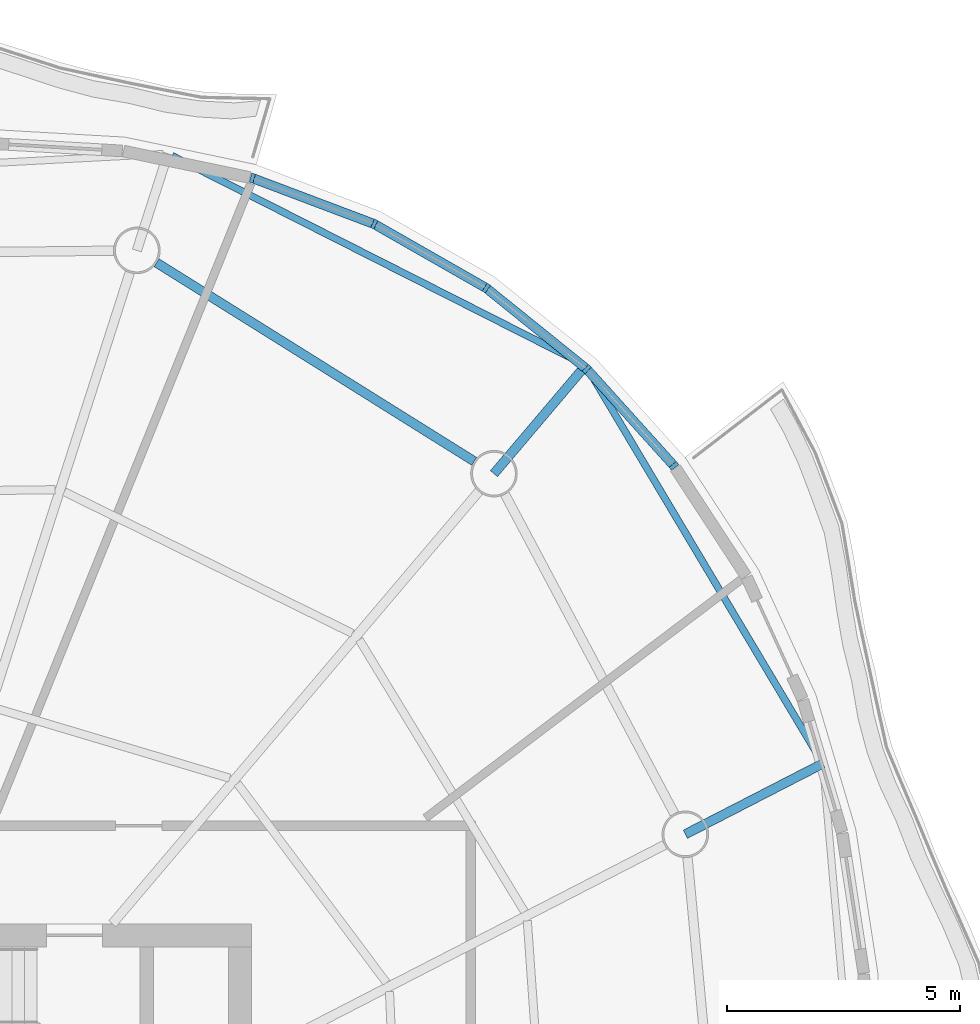
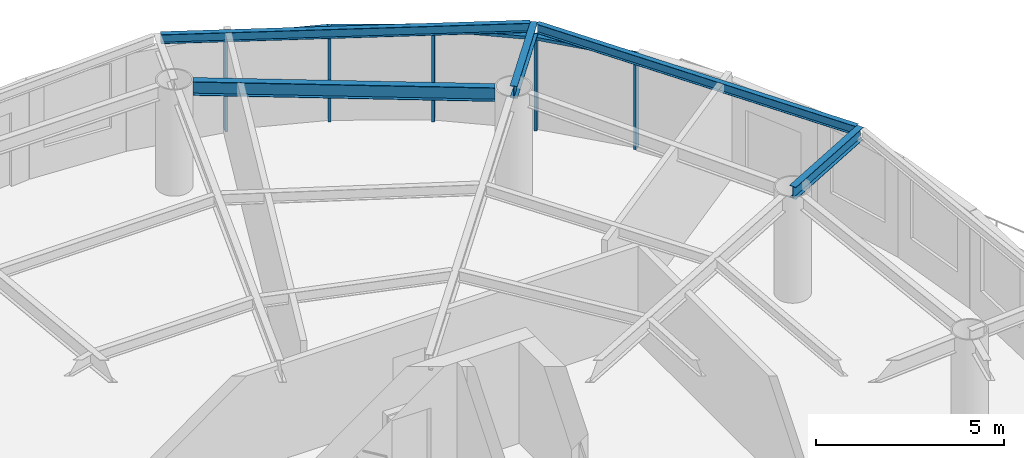
# One storey, part 6 of 14: 9 members, 5 beams, 4 elements without a shape of their own.
"""IFC4 building model written with IfcOpenShell, lengths in metres."""

import ifcopenshell
import ifcopenshell.guid

model = None  # the IFC model being written
_history = None  # IfcOwnerHistory: only IFC2X3 demands one
_inside = {}  # id of a spatial element -> (the spatial element, [elements in it])
_under = {}  # id of a project, library or spatial element -> (it, [spatial elements below it])
_declared = {}  # id of a project -> (the project, [libraries it declares])
_typed = {}  # id of a type object -> (the type object, [elements of that type])
_made_of = {}  # id of a material, layer set ... -> (it, [elements and type objects made of it])


def new_model(schema):
    """Start an empty IFC model of exactly this schema.

    Asked for "IFC4X3", IfcOpenShell would pick the latest addendum, in which some entities
    have other attributes; the version numbers below select the first issue.
    IFC2X3 requires an IfcOwnerHistory on every rooted entity: one is made here for all.
    """
    global model, _history
    if schema == "IFC4X3":
        model = ifcopenshell.file(schema_version=(4, 3, 0, 0))
    else:
        model = ifcopenshell.file(schema=schema)
    _inside.clear()
    _under.clear()
    _declared.clear()
    _typed.clear()
    _made_of.clear()
    _history = None
    if model.schema == "IFC2X3":
        org = make("IfcOrganization", Name="unknown")
        user = make(
            "IfcPersonAndOrganization",
            ThePerson=make("IfcPerson", FamilyName="unknown"),
            TheOrganization=org,
        )
        app = make(
            "IfcApplication",
            ApplicationDeveloper=org,
            Version="unknown",
            ApplicationFullName="unknown",
            ApplicationIdentifier="unknown",
        )
        _history = make(
            "IfcOwnerHistory",
            OwningUser=user,
            OwningApplication=app,
            ChangeAction="ADDED",
            CreationDate=0,
        )
    return model


def make(cls, **values):
    """One entity of the class cls with the attributes given. An attribute that is None is left unset."""
    return model.create_entity(
        cls, **{name: value for name, value in values.items() if value is not None}
    )


def rooted(cls, **values):
    """An entity with a GlobalId (a new one), such as an element, a storey or a relation."""
    return make(cls, GlobalId=ifcopenshell.guid.new(), OwnerHistory=_history, **values)


def si_unit(unit_type, name, prefix=None):
    """IfcSIUnit, for example si_unit("LENGTHUNIT", "METRE", prefix="MILLI")."""
    return make("IfcSIUnit", UnitType=unit_type, Prefix=prefix, Name=name)


def assignment(units):
    """IfcUnitAssignment: the units of a project."""
    return None if units is None else make("IfcUnitAssignment", Units=units)


def point(xyz):
    """IfcCartesianPoint."""
    return None if xyz is None else make("IfcCartesianPoint", Coordinates=xyz)


def direction(xyz):
    """IfcDirection."""
    return None if xyz is None else make("IfcDirection", DirectionRatios=xyz)


def frame(location, z_axis=None, x_axis=None):
    """IfcAxis2Placement3D, a coordinate frame: its origin and axes. An axis left out is left unset."""
    return make(
        "IfcAxis2Placement3D",
        Location=point(location),
        Axis=direction(z_axis),
        RefDirection=direction(x_axis),
    )


def frame_2d(location, x_axis=None):
    """IfcAxis2Placement2D, a coordinate frame in the plane: its origin and x axis."""
    return make(
        "IfcAxis2Placement2D", Location=point(location), RefDirection=direction(x_axis)
    )


def origin():
    """The frame at (0, 0, 0) with its axes left unset."""
    return frame((0.0, 0.0, 0.0))


def origin_2d():
    """The frame at (0, 0) in the plane with its x axis left unset."""
    return frame_2d((0.0, 0.0))


def place(relative_to, where):
    """IfcLocalPlacement: puts the frame where relative to a parent placement (None: the world)."""
    return make(
        "IfcLocalPlacement", PlacementRelTo=relative_to, RelativePlacement=where
    )


def context(
    kind, dimensions, precision=None, world=None, true_north=None, identifier=None
):
    """IfcGeometricRepresentationContext, for example the 3D "Model" context."""
    return make(
        "IfcGeometricRepresentationContext",
        ContextIdentifier=identifier,
        ContextType=kind,
        CoordinateSpaceDimension=dimensions,
        Precision=precision,
        WorldCoordinateSystem=world,
        TrueNorth=true_north,
    )


def subcontext(parent, identifier, kind, view, scale=None):
    """IfcGeometricRepresentationSubContext, for example "Body" below "Model"."""
    return make(
        "IfcGeometricRepresentationSubContext",
        ContextIdentifier=identifier,
        ContextType=kind,
        ParentContext=parent,
        TargetScale=scale,
        TargetView=view,
    )


def project(units=None, contexts=None):
    """IfcProject with its units and contexts."""
    return rooted(
        "IfcProject",
        Name="project",
        RepresentationContexts=contexts,
        UnitsInContext=assignment(units),
    )


def spatial(cls, under=None, at=None, **own):
    """A site, building, storey or space (cls), placed at a placement, below another one or the project."""
    s = rooted(cls, ObjectPlacement=at, **own)
    if under is not None:
        _under.setdefault(under.id(), (under, []))[1].append(s)
    return s


def profile(cls, at=None, kind="AREA", **sizes):
    """A parametric profile (cls). Its sizes go by their IFC names, for example OverallWidth=200.0."""
    return make(cls, ProfileType=kind, Position=at, **sizes)


def rectangle(**sizes):
    """IfcRectangleProfileDef."""
    return profile("IfcRectangleProfileDef", **sizes)


def i_section(**sizes):
    """IfcIShapeProfileDef."""
    return profile("IfcIShapeProfileDef", **sizes)


def extrude(swept, where, along, depth):
    """IfcExtrudedAreaSolid: the profile swept, set in the frame where, extruded along a direction by depth."""
    return make(
        "IfcExtrudedAreaSolid",
        SweptArea=swept,
        Position=where,
        ExtrudedDirection=direction(along),
        Depth=depth,
    )


def shape(context_of_items, identifier, shape_type, items):
    """IfcShapeRepresentation: the items that make up one representation, for example the "Body"."""
    return make(
        "IfcShapeRepresentation",
        ContextOfItems=context_of_items,
        RepresentationIdentifier=identifier,
        RepresentationType=shape_type,
        Items=items,
    )


def material(Name=None, Category=None):
    """IfcMaterial."""
    return make("IfcMaterial", Name=Name, Category=Category)


def material_profile(
    of_material, cross_section, Name=None, Category=None, Priority=None
):
    """IfcMaterialProfile: a cross section and its material."""
    return make(
        "IfcMaterialProfile",
        Name=Name,
        Material=of_material,
        Profile=cross_section,
        Priority=Priority,
        Category=Category,
    )


def profile_set(profiles, Name=None, composite=None):
    """IfcMaterialProfileSet."""
    return make(
        "IfcMaterialProfileSet",
        Name=Name,
        MaterialProfiles=profiles,
        CompositeProfile=composite,
    )


def made_of(thing, what):
    """Note that an element or type object is made of a material, layer set ...; save() writes the relation."""
    if what is not None:
        _made_of.setdefault(what.id(), (what, []))[1].append(thing)
    return thing


def type_object(cls, material=None, **own):
    """A type object (cls), such as IfcWallType, which elements share."""
    return made_of(rooted(cls, **own), material)


def element(
    cls,
    number,
    at=None,
    inside=None,
    cuts=None,
    type_object=None,
    material=None,
    context=None,
    identifier="Body",
    shape_type=None,
    held_by="IfcProductDefinitionShape",
    body=None,
    shapes=None,
    **own,
):
    """One element of the class cls, such as IfcWall. Its Tag is "e" and its number.

    at: its placement. inside: the storey or other place that contains it. cuts: it is an
    opening in that element (IfcRelVoidsElement). A single representation is given by context,
    identifier, shape_type and body (its items); several are given by shapes. held_by: the class
    of the entity that holds the representations. save() writes the other relations.
    """
    e = rooted(cls, Tag="e%d" % number, ObjectPlacement=at, **own)
    if body is not None:
        shapes = [shape(context, identifier, shape_type, body)]
    if shapes is not None:
        e.Representation = make(held_by, Representations=shapes)
    if inside is not None:
        _inside.setdefault(inside.id(), (inside, []))[1].append(e)
    if cuts is not None:
        rooted(
            "IfcRelVoidsElement", RelatingBuildingElement=cuts, RelatedOpeningElement=e
        )
    if type_object is not None:
        _typed.setdefault(type_object.id(), (type_object, []))[1].append(e)
    return made_of(e, material)


def aggregate(whole, parts):
    """IfcRelAggregates: a whole, such as a stair, and the parts it consists of."""
    return rooted("IfcRelAggregates", RelatingObject=whole, RelatedObjects=parts)


def save(model, path):
    """Write the relations noted so far, then the file.

    IfcRelAggregates (storeys below a building ...), IfcRelContainedInSpatialStructure (elements
    in a storey), IfcRelDefinesByType, IfcRelAssociatesMaterial and IfcRelDeclares: one each for
    every whole, place, type object, material and project.
    """
    for whole, parts in _under.values():
        aggregate(whole, parts)
    for where, things in _inside.values():
        rooted(
            "IfcRelContainedInSpatialStructure",
            RelatedElements=things,
            RelatingStructure=where,
        )
    for kind, things in _typed.values():
        rooted("IfcRelDefinesByType", RelatedObjects=things, RelatingType=kind)
    for what, things in _made_of.values():
        rooted("IfcRelAssociatesMaterial", RelatedObjects=things, RelatingMaterial=what)
    for by, libraries in _declared.values():
        rooted("IfcRelDeclares", RelatingContext=by, RelatedDefinitions=libraries)
    model.write(path)


model = new_model("IFC4")

# Units and contexts
model_context = context("Model", 3, precision=1e-05, world=origin(), true_north=direction((0.0, 1.0)))
body_context = subcontext(model_context, "Body", "Model", "MODEL_VIEW")
ifc_project = project(units=[si_unit("LENGTHUNIT", "METRE"), si_unit("AREAUNIT", "SQUARE_METRE"), si_unit("VOLUMEUNIT", "CUBIC_METRE"), si_unit("PLANEANGLEUNIT", "RADIAN"), si_unit("MASSUNIT", "GRAM", prefix="KILO")], contexts=[model_context])

# Site, building, storey
site_placement = place(None, origin())
site = spatial("IfcSite", under=ifc_project, at=site_placement, CompositionType="ELEMENT")
building_placement = place(site_placement, origin())
building = spatial("IfcBuilding", under=site, at=building_placement, Name="Vermilion Reach Broadcast Tower", CompositionType="ELEMENT")
storey_placement = place(building_placement, frame((0.0, 0.0, 257.699951171875)))
storey = spatial("IfcBuildingStorey", under=building, at=storey_placement, Name="L63", CompositionType="ELEMENT", Elevation=257.699951171875)

# Beams
ifc_material_1 = material(Name="Steel S355J2", Category="steel")
ifc_material_profile_1 = material_profile(ifc_material_1, i_section(OverallWidth=0.14990234375, OverallDepth=0.300048828125, WebThickness=0.006591796875, FlangeThickness=0.009033203125, at=origin_2d()), Name="S355J2 HN 300x150x6.5x9")
ifc_profile_set_1 = profile_set([ifc_material_profile_1], Name="Steel S355J2")
beam_type_1 = type_object("IfcBeamType", Name="EB5 HN 300x150x6.5x9", PredefinedType="BEAM", material=ifc_profile_set_1)
beam_1_placement = place(storey_placement, frame((15.80615234375, 11.323974609375, 3.300048828125), z_axis=(-0.511805175095, 0.859101543909, 0.0), x_axis=(-0.859101543909, -0.511805175095, 0.0)))
element("IfcBeam", 1, at=beam_1_placement, inside=storey, type_object=beam_type_1, Name="Edge beam EB5-15", PredefinedType="BEAM", context=body_context, shape_type="SweptSolid", body=[
    extrude(i_section(OverallWidth=0.14990234375, OverallDepth=0.300048828125, WebThickness=0.006591796875, FlangeThickness=0.009033203125, at=origin_2d()), origin(), (0.0, 0.0, 1.0), 9.73681640625),
])
beam_2_placement = place(storey_placement, frame((10.677001953125, 19.826416015625, 3.300048828125), z_axis=(-0.892003915287, 0.452027670738, 0.0), x_axis=(-0.452027670738, -0.892003915287, 0.0)))
element("IfcBeam", 2, at=beam_2_placement, inside=storey, type_object=beam_type_1, Name="Edge beam EB5-16", PredefinedType="BEAM", context=body_context, shape_type="SweptSolid", body=[
    extrude(i_section(OverallWidth=0.14990234375, OverallDepth=0.300048828125, WebThickness=0.006591796875, FlangeThickness=0.009033203125, at=origin_2d()), origin(), (0.0, 0.0, 1.0), 9.845458984375),
])
ifc_material_2 = material(Name="Steel S355J2", Category="steel")
ifc_material_profile_2 = material_profile(ifc_material_2, i_section(OverallWidth=0.199951171875, OverallDepth=0.39990234375, WebThickness=0.008056640625, FlangeThickness=0.012939453125, at=origin_2d()), Name="S355J2 HN 400x200x8x13")
ifc_profile_set_2 = profile_set([ifc_material_profile_2], Name="Steel S355J2")
beam_type_2 = type_object("IfcBeamType", Name="GC5 HN 400x200x8x13", PredefinedType="BEAM", material=ifc_profile_set_2)
beam_3_placement = place(storey_placement, frame((12.905517578125, 9.72021484375, 3.25), z_axis=(0.889324552007, 0.457276547831, 0.0), x_axis=(-0.457276547831, 0.889324552007, 0.0)))
element("IfcBeam", 3, at=beam_3_placement, inside=storey, type_object=beam_type_2, Name="Cantilever girder GC5-15", PredefinedType="BEAM", context=body_context, shape_type="SweptSolid", body=[
    extrude(i_section(OverallWidth=0.199951171875, OverallDepth=0.39990234375, WebThickness=0.008056640625, FlangeThickness=0.012939453125, at=origin_2d()), origin(), (0.0, 0.0, 1.0), 3.3193359375),
])
beam_4_placement = place(storey_placement, frame((8.799560546875, 17.457275390625, 3.25), z_axis=(0.646668011343, 0.762771579902, 0.0), x_axis=(-0.762771579902, 0.646668011343, 0.0)))
element("IfcBeam", 4, at=beam_4_placement, inside=storey, type_object=beam_type_2, Name="Cantilever girder GC5-16", PredefinedType="BEAM", context=body_context, shape_type="SweptSolid", body=[
    extrude(i_section(OverallWidth=0.199951171875, OverallDepth=0.39990234375, WebThickness=0.008056640625, FlangeThickness=0.012939453125, at=origin_2d()), origin(), (0.0, 0.0, 1.0), 3.044921875),
])
ifc_material_3 = material(Name="Steel S355J2", Category="steel")
ifc_material_profile_3 = material_profile(ifc_material_3, i_section(OverallWidth=0.199951171875, OverallDepth=0.449951171875, WebThickness=0.009033203125, FlangeThickness=0.013916015625, at=origin_2d()), Name="S355J2 HN 450x200x9x14")
ifc_profile_set_3 = profile_set([ifc_material_profile_3], Name="Steel S355J2")
beam_type_3 = type_object("IfcBeamType", Name="RB5 HN 450x200x9x14", PredefinedType="BEAM", material=ifc_profile_set_3)
beam_5_placement = place(storey_placement, frame((8.375732421875, 17.722412109375, 3.22509765625), z_axis=(-0.847914653245, 0.530132757724, 0.0), x_axis=(-0.530132757724, -0.847914653245, 0.0)))
element("IfcBeam", 5, at=beam_5_placement, inside=storey, type_object=beam_type_3, Name="Ring beam RB5-16", PredefinedType="BEAM", context=body_context, shape_type="SweptSolid", body=[
    extrude(i_section(OverallWidth=0.199951171875, OverallDepth=0.449951171875, WebThickness=0.009033203125, FlangeThickness=0.013916015625, at=origin_2d()), origin(), (0.0, 0.0, 1.0), 8.035400390625),
])

# Curtain wall, member
ifc_material_4 = material(Name="Low-e laminated clear glass in aluminium frame", Category="aluminium")
curtain_wall_type = type_object("IfcCurtainWallType", Name="Slot curtain wall", PredefinedType="NOTDEFINED", material=ifc_material_4)
placement = place(storey_placement, origin())
curtain_wall_1 = element("IfcCurtainWall", 6, at=placement, inside=storey, type_object=curtain_wall_type, Name="Slot curtain wall L63 46", PredefinedType="NOTDEFINED")
ifc_material_5 = material(Name="Anodised aluminium", Category="aluminium")
ifc_material_profile_4 = material_profile(ifc_material_5, rectangle(XDim=0.199951171875, YDim=0.080078125, at=origin_2d()), Name="Slot mullion 80 x 200")
ifc_profile_set_4 = profile_set([ifc_material_profile_4], Name="Anodised aluminium")
member_type_1 = type_object("IfcMemberType", Name="Slot mullion 80 x 200", PredefinedType="MULLION", material=ifc_profile_set_4)
member_1_placement = place(storey_placement, frame((12.661865234375, 17.624755859375, 0.0), z_axis=(0.0, 0.0, 1.0), x_axis=(-0.792220111415, -0.610235442325, 0.0)))
member_1 = element("IfcMember", 7, at=member_1_placement, type_object=member_type_1, Name="Slot mullion L63 46", PredefinedType="MULLION", context=body_context, shape_type="SweptSolid", body=[
    extrude(rectangle(XDim=0.199951171875, YDim=0.080078125, at=origin_2d()), origin(), (0.0, 0.0, 1.0), 3.050048828125),
])

curtain_wall_2 = element("IfcCurtainWall", 8, at=placement, inside=storey, type_object=curtain_wall_type, Name="Slot curtain wall L63 47", PredefinedType="NOTDEFINED")
member_2_placement = place(storey_placement, frame((10.791259765625, 19.69970703125, 0.0), z_axis=(0.0, 0.0, 1.0), x_axis=(-0.687453927496, -0.726227992831, 0.0)))
member_2 = element("IfcMember", 9, at=member_2_placement, type_object=member_type_1, Name="Slot mullion L63 47", PredefinedType="MULLION", context=body_context, shape_type="SweptSolid", body=[
    extrude(rectangle(XDim=0.199951171875, YDim=0.080078125, at=origin_2d()), origin(), (0.0, 0.0, 1.0), 3.050048828125),
])

curtain_wall_3 = element("IfcCurtainWall", 10, at=placement, inside=storey, type_object=curtain_wall_type, Name="Slot curtain wall L63 00", PredefinedType="NOTDEFINED")
member_3_placement = place(storey_placement, frame((8.635498046875, 21.438720703125, 0.0), z_axis=(0.0, 0.0, 1.0), x_axis=(-0.563814452058, -0.825901485439, 0.0)))
member_3 = element("IfcMember", 11, at=member_3_placement, type_object=member_type_1, Name="Slot mullion L63 00", PredefinedType="MULLION", context=body_context, shape_type="SweptSolid", body=[
    extrude(rectangle(XDim=0.199951171875, YDim=0.080078125, at=origin_2d()), origin(), (0.0, 0.0, 1.0), 3.050048828125),
])

# Curtain wall, members
curtain_wall_4 = element("IfcCurtainWall", 12, at=placement, inside=storey, type_object=curtain_wall_type, Name="Slot curtain wall L63 01", PredefinedType="NOTDEFINED")
member_4_placement = place(storey_placement, frame((6.230712890625, 22.81298828125, 0.0), z_axis=(0.0, 0.0, 1.0), x_axis=(-0.425954498638, -0.904744585554, 0.0)))
member_4 = element("IfcMember", 13, at=member_4_placement, type_object=member_type_1, Name="Slot mullion L63 01", PredefinedType="MULLION", context=body_context, shape_type="SweptSolid", body=[
    extrude(rectangle(XDim=0.199951171875, YDim=0.080078125, at=origin_2d()), origin(), (0.0, 0.0, 1.0), 3.050048828125),
])
member_5_placement = place(storey_placement, frame((3.616943359375, 23.79931640625, 0.0), z_axis=(0.0, 0.0, 1.0), x_axis=(-0.279770745993, -0.960066836052, 0.0)))
member_5 = element("IfcMember", 14, at=member_5_placement, type_object=member_type_1, Name="Slot mullion L63 02", PredefinedType="MULLION", context=body_context, shape_type="SweptSolid", body=[
    extrude(rectangle(XDim=0.199951171875, YDim=0.080078125, at=origin_2d()), origin(), (0.0, 0.0, 1.0), 3.050048828125),
])

# Member
ifc_material_6 = material(Name="Anodised aluminium", Category="aluminium")
ifc_material_profile_5 = material_profile(ifc_material_6, rectangle(XDim=0.199951171875, YDim=0.10009765625, at=origin_2d()), Name="Slot transom 200 x 100")
ifc_profile_set_5 = profile_set([ifc_material_profile_5], Name="Anodised aluminium")
member_type_2 = type_object("IfcMemberType", Name="Slot transom 200 x 100", PredefinedType="USERDEFINED", material=ifc_profile_set_5)
member_6_placement = place(storey_placement, frame((12.635009765625, 17.654541015625, 3.0), z_axis=(-0.669585864681, 0.742734656401, 0.0), x_axis=(-0.742734656401, -0.669585864681, 0.0)))
member_6 = element("IfcMember", 15, at=member_6_placement, type_object=member_type_2, Name="Slot transom L63 46.1", ObjectType="TRANSOM", PredefinedType="USERDEFINED", context=body_context, shape_type="SweptSolid", body=[
    extrude(rectangle(XDim=0.199951171875, YDim=0.10009765625, at=origin_2d()), origin(), (0.0, 0.0, 1.0), 2.71337890625),
])

aggregate(curtain_wall_1, [member_1, member_6])

member_7_placement = place(storey_placement, frame((10.760009765625, 19.724853515625, 3.0), z_axis=(-0.778338633718, 0.62784470314, 0.0), x_axis=(-0.62784470314, -0.778338633718, 0.0)))
member_7 = element("IfcMember", 16, at=member_7_placement, type_object=member_type_2, Name="Slot transom L63 47.1", ObjectType="TRANSOM", PredefinedType="USERDEFINED", context=body_context, shape_type="SweptSolid", body=[
    extrude(rectangle(XDim=0.199951171875, YDim=0.10009765625, at=origin_2d()), origin(), (0.0, 0.0, 1.0), 2.689697265625),
])

aggregate(curtain_wall_2, [member_2, member_7])

member_8_placement = place(storey_placement, frame((8.600830078125, 21.45849609375, 3.0), z_axis=(-0.868215214433, 0.496187808625, 0.0), x_axis=(-0.496187808625, -0.868215214433, 0.0)))
member_8 = element("IfcMember", 17, at=member_8_placement, type_object=member_type_2, Name="Slot transom L63 00.1", ObjectType="TRANSOM", PredefinedType="USERDEFINED", context=body_context, shape_type="SweptSolid", body=[
    extrude(rectangle(XDim=0.199951171875, YDim=0.10009765625, at=origin_2d()), origin(), (0.0, 0.0, 1.0), 2.68994140625),
])

aggregate(curtain_wall_3, [member_3, member_8])

member_9_placement = place(storey_placement, frame((6.193359375, 22.8271484375, 3.0), z_axis=(-0.935617417433, 0.353015648655, 0.0), x_axis=(-0.353015648655, -0.935617417433, 0.0)))
member_9 = element("IfcMember", 18, at=member_9_placement, type_object=member_type_2, Name="Slot transom L63 01.1", ObjectType="TRANSOM", PredefinedType="USERDEFINED", context=body_context, shape_type="SweptSolid", body=[
    extrude(rectangle(XDim=0.199951171875, YDim=0.10009765625, at=origin_2d()), origin(), (0.0, 0.0, 1.0), 2.7138671875),
])

aggregate(curtain_wall_4, [member_4, member_5, member_9])

save(model, "model.ifc")
